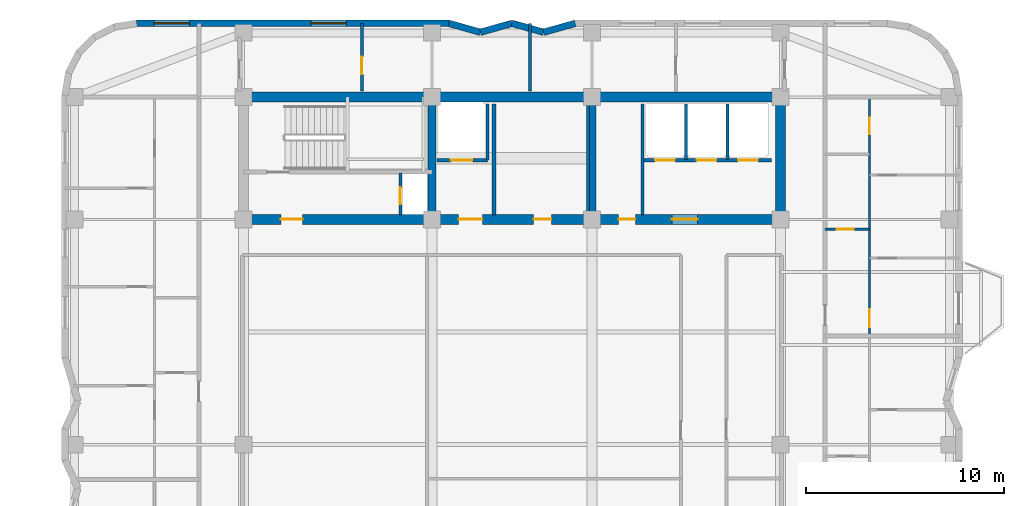
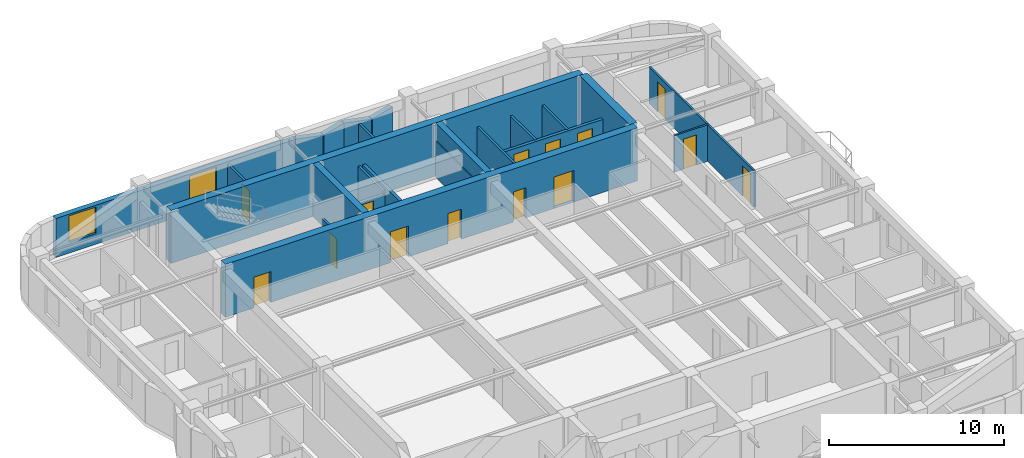
# One storey, part 6 of 9: 23 walls, 14 doors, 2 windows, 16 openings.
"""IFC4 building model written with IfcOpenShell, lengths in metres."""

from ifc_helpers import new_model, si_unit, direction, frame, frame_2d, origin, place, context, subcontext, project, spatial, rectangle, extrude, material, layer, layer_set, type_object, element, fill, save


model = new_model("IFC4")

# Units and contexts
model_context = context("Model", 3, precision=1e-05, world=origin(), true_north=direction((0.0, 1.0)))
body_context = subcontext(model_context, "Body", "Model", "MODEL_VIEW")
ifc_project = project(units=[si_unit("LENGTHUNIT", "METRE"), si_unit("AREAUNIT", "SQUARE_METRE"), si_unit("VOLUMEUNIT", "CUBIC_METRE"), si_unit("PLANEANGLEUNIT", "RADIAN"), si_unit("MASSUNIT", "GRAM", prefix="KILO")], contexts=[model_context])

# Site, building, storey
site_placement = place(None, origin())
site = spatial("IfcSite", under=ifc_project, at=site_placement, CompositionType="ELEMENT")
building_placement = place(site_placement, origin())
building = spatial("IfcBuilding", under=site, at=building_placement, Name="Svetorya Sky Lyceum", CompositionType="ELEMENT")
storey_placement = place(building_placement, frame((0.0, 0.0, 211.0)))
storey = spatial("IfcBuildingStorey", under=building, at=storey_placement, Name="L52", CompositionType="ELEMENT", Elevation=211.0)

# Walls
ifc_material_1 = material(Name="Concrete C40/50", Category="concrete")
ifc_layer_1 = layer(ifc_material_1, 0.39990234375)
ifc_layer_set_1 = layer_set([ifc_layer_1], Name="Concrete C40/50")
wall_type_1 = type_object("IfcWallType", Name="WL-CORE-400", PredefinedType="SHEAR", material=ifc_layer_set_1)
for number, where, z_axis, x_axis, name in (
    (1, (35.14990234375, 39.85009765625, 0.0), (0.0, 0.0, 1.0), (0.0, 1.0, 0.0), "L52 NC Internal Shear Web WEB1"),
    (2, (43.25, 39.85009765625, 0.0), (0.0, 0.0, 1.0), (0.0, 1.0, 0.0), "L52 NC Internal Shear Web WEB2"),
):
    element("IfcWall", number, at=place(storey_placement, frame(where, z_axis=z_axis, x_axis=x_axis)), inside=storey, type_object=wall_type_1, Name=name, PredefinedType="SHEAR", context=body_context, shape_type="SweptSolid", body=[
        extrude(rectangle(XDim=5.699951171875, YDim=0.39990234375, at=frame_2d((2.85009765625, 0.0))), origin(), (0.0, 0.0, 1.0), 3.699951171875),
    ])
ifc_material_2 = material(Name="Concrete C50/60", Category="concrete")
ifc_layer_2 = layer(ifc_material_2, 0.5)
ifc_layer_set_2 = layer_set([ifc_layer_2], Name="Concrete C50/60")
wall_type_2 = type_object("IfcWallType", Name="WL-CORE-500", PredefinedType="SHEAR", material=ifc_layer_set_2)
wall_1_placement = place(storey_placement, frame((25.60009765625, 45.800048828125, 0.0), z_axis=(0.0, 0.0, 1.0), x_axis=(1.0, 0.0, 0.0)))
element("IfcWall", 3, at=wall_1_placement, inside=storey, type_object=wall_type_2, Name="L52 NC Outer Core Shear Wall", PredefinedType="SHEAR", context=body_context, shape_type="SweptSolid", body=[
    extrude(rectangle(XDim=27.199951171875, YDim=0.5, at=frame_2d((13.60009765625, 0.0))), origin(), (0.0, 0.0, 1.0), 3.699951171875),
])
wall_2_placement = place(storey_placement, frame((52.800048828125, 39.85009765625, 0.0), z_axis=(0.0, 0.0, 1.0), x_axis=(0.0, 1.0, 0.0)))
element("IfcWall", 4, at=wall_2_placement, inside=storey, type_object=wall_type_2, Name="L52 NC East Core Shear Wall", PredefinedType="SHEAR", context=body_context, shape_type="SweptSolid", body=[
    extrude(rectangle(XDim=5.699951171875, YDim=0.5, at=frame_2d((2.85009765625, 0.0))), origin(), (0.0, 0.0, 1.0), 3.699951171875),
])

# Wall, openings, doors
wall_3_placement = place(storey_placement, frame((52.800048828125, 39.60009765625, 0.0), z_axis=(0.0, 0.0, 1.0), x_axis=(-1.0, 0.0, 0.0)))
wall_3 = element("IfcWall", 5, at=wall_3_placement, inside=storey, type_object=wall_type_2, Name="L52 NC Inner Core Shear Wall", PredefinedType="SHEAR", context=body_context, shape_type="SweptSolid", body=[
    extrude(rectangle(XDim=27.199951171875, YDim=0.5, at=frame_2d((13.60009765625, 0.0))), origin(), (0.0, 0.0, 1.0), 3.699951171875),
])
opening_1_placement = place(wall_3_placement, frame((24.199951171875, 0.0, 0.0)))
opening_1 = element("IfcOpeningElement", 6, at=opening_1_placement, cuts=wall_3, Name="Opening D-ST1", PredefinedType="OPENING", context=body_context, shape_type="SweptSolid", body=[
    extrude(rectangle(XDim=1.10009765625, YDim=2.14990234375, at=frame_2d((0.550048828125, 1.074951171875))), frame((0.0, 0.260009765625, 0.0), z_axis=(0.0, -1.0, 0.0), x_axis=(1.0, 0.0, 0.0)), (0.0, 0.0, 1.0), 0.52001953125),
])
opening_2_placement = place(wall_3_placement, frame((15.10009765625, 0.0, 0.0)))
opening_2 = element("IfcOpeningElement", 7, at=opening_2_placement, cuts=wall_3, Name="Opening D-FL1", PredefinedType="OPENING", context=body_context, shape_type="SweptSolid", body=[
    extrude(rectangle(XDim=1.199951171875, YDim=2.14990234375, at=frame_2d((0.60009765625, 1.074951171875))), frame((0.0, 0.260009765625, 0.0), z_axis=(0.0, -1.0, 0.0), x_axis=(1.0, 0.0, 0.0)), (0.0, 0.0, 1.0), 0.52001953125),
])
opening_3_placement = place(wall_3_placement, frame((11.60009765625, 0.0, 0.0)))
opening_3 = element("IfcOpeningElement", 8, at=opening_3_placement, cuts=wall_3, Name="Opening D-RM1", PredefinedType="OPENING", context=body_context, shape_type="SweptSolid", body=[
    extrude(rectangle(XDim=0.89990234375, YDim=2.10009765625, at=frame_2d((0.449951171875, 1.050048828125))), frame((0.0, 0.260009765625, 0.0), z_axis=(0.0, -1.0, 0.0), x_axis=(1.0, 0.0, 0.0)), (0.0, 0.0, 1.0), 0.52001953125),
])
opening_4_placement = place(wall_3_placement, frame((7.35009765625, 0.0, 0.0)))
opening_4 = element("IfcOpeningElement", 9, at=opening_4_placement, cuts=wall_3, Name="Opening D-CWC1", PredefinedType="OPENING", context=body_context, shape_type="SweptSolid", body=[
    extrude(rectangle(XDim=0.85009765625, YDim=2.10009765625, at=frame_2d((0.425048828125, 1.050048828125))), frame((0.0, 0.260009765625, 0.0), z_axis=(0.0, -1.0, 0.0), x_axis=(1.0, 0.0, 0.0)), (0.0, 0.0, 1.0), 0.52001953125),
])
opening_5_placement = place(wall_3_placement, frame((4.199951171875, 0.0, 0.0)))
opening_5 = element("IfcOpeningElement", 10, at=opening_5_placement, cuts=wall_3, Name="Opening D-LB1", PredefinedType="OPENING", context=body_context, shape_type="SweptSolid", body=[
    extrude(rectangle(XDim=1.300048828125, YDim=2.199951171875, at=frame_2d((0.64990234375, 1.10009765625))), frame((0.0, 0.260009765625, 0.0), z_axis=(0.0, -1.0, 0.0), x_axis=(1.0, 0.0, 0.0)), (0.0, 0.0, 1.0), 0.52001953125),
])
ifc_material_3 = material(Name="Fire-rated galvanized steel core service closet door", Category="steel")
door_type_1 = type_object("IfcDoorType", Name="DR-CWET-850", OperationType="SINGLE_SWING_LEFT", PredefinedType="DOOR", material=ifc_material_3)
door_1_placement = place(opening_4_placement, origin())
door_1 = element("IfcDoor", 11, at=door_1_placement, inside=storey, type_object=door_type_1, Name="L52 High-Zone Utility Room Door", OperationType="SINGLE_SWING_LEFT", OverallHeight=2.10009765625, OverallWidth=0.85009765625, PredefinedType="DOOR", context=body_context, shape_type="SweptSolid", body=[
    extrude(rectangle(XDim=0.85009765625, YDim=2.10009765625, at=frame_2d((0.425048828125, 1.050048828125))), frame((0.0, 0.02490234375, 0.0), z_axis=(0.0, -1.0, 0.0), x_axis=(1.0, 0.0, 0.0)), (0.0, 0.0, 1.0), 0.050048828125),
])
fill(opening_4, door_1)
ifc_material_4 = material(Name="Powder-coated insulated galvanized stair fire door")
door_type_2 = type_object("IfcDoorType", Name="DR-FIRE-1100", OperationType="SINGLE_SWING_LEFT", PredefinedType="DOOR", material=ifc_material_4)
door_2_placement = place(opening_1_placement, origin())
door_2 = element("IfcDoor", 12, at=door_2_placement, inside=storey, type_object=door_type_2, Name="L52 North Stair Airlock Door", OperationType="SINGLE_SWING_LEFT", OverallHeight=2.14990234375, OverallWidth=1.10009765625, PredefinedType="DOOR", context=body_context, shape_type="SweptSolid", body=[
    extrude(rectangle(XDim=1.10009765625, YDim=2.14990234375, at=frame_2d((0.550048828125, 1.074951171875))), frame((0.0, 0.02490234375, 0.0), z_axis=(0.0, -1.0, 0.0), x_axis=(1.0, 0.0, 0.0)), (0.0, 0.0, 1.0), 0.050048828125),
])
fill(opening_1, door_2)
ifc_material_5 = material(Name="Powder-coated insulated galvanized fire door")
door_type_3 = type_object("IfcDoorType", Name="DR-FIRE-1200", OperationType="SINGLE_SWING_LEFT", PredefinedType="DOOR", material=ifc_material_5)
door_3_placement = place(opening_2_placement, origin())
door_3 = element("IfcDoor", 13, at=door_3_placement, inside=storey, type_object=door_type_3, Name="L52 North Firefighting Lift Lobby Door", OperationType="SINGLE_SWING_RIGHT", OverallHeight=2.14990234375, OverallWidth=1.199951171875, PredefinedType="DOOR", context=body_context, shape_type="SweptSolid", body=[
    extrude(rectangle(XDim=1.199951171875, YDim=2.14990234375, at=frame_2d((0.60009765625, 1.074951171875))), frame((0.0, 0.02490234375, 0.0), z_axis=(0.0, -1.0, 0.0), x_axis=(1.0, 0.0, 0.0)), (0.0, 0.0, 1.0), 0.050048828125),
])
fill(opening_2, door_3)
ifc_material_6 = material(Name="Lacquered birch veneer internal door")
door_type_4 = type_object("IfcDoorType", Name="DR-INT-900", OperationType="SINGLE_SWING_LEFT", PredefinedType="DOOR", material=ifc_material_6)
door_4_placement = place(opening_3_placement, origin())
door_4 = element("IfcDoor", 14, at=door_4_placement, inside=storey, type_object=door_type_4, Name="L52 Upper Archive Door", OperationType="SINGLE_SWING_LEFT", OverallHeight=2.10009765625, OverallWidth=0.89990234375, PredefinedType="DOOR", context=body_context, shape_type="SweptSolid", body=[
    extrude(rectangle(XDim=0.89990234375, YDim=2.10009765625, at=frame_2d((0.449951171875, 1.050048828125))), frame((0.0, 0.02490234375, 0.0), z_axis=(0.0, -1.0, 0.0), x_axis=(1.0, 0.0, 0.0)), (0.0, 0.0, 1.0), 0.050048828125),
])
fill(opening_3, door_4)
ifc_material_7 = material(Name="Glazed fire-rated aluminium lobby door", Category="aluminium")
door_type_5 = type_object("IfcDoorType", Name="DR-LOB-1300", OperationType="SINGLE_SWING_LEFT", PredefinedType="DOOR", material=ifc_material_7)
door_5_placement = place(opening_5_placement, origin())
door_5 = element("IfcDoor", 15, at=door_5_placement, inside=storey, type_object=door_type_5, Name="L52 North Passenger Lift Lobby Door", OperationType="SINGLE_SWING_LEFT", OverallHeight=2.199951171875, OverallWidth=1.300048828125, PredefinedType="DOOR", context=body_context, shape_type="SweptSolid", body=[
    extrude(rectangle(XDim=1.300048828125, YDim=2.199951171875, at=frame_2d((0.64990234375, 1.10009765625))), frame((0.0, 0.02490234375, 0.0), z_axis=(0.0, -1.0, 0.0), x_axis=(1.0, 0.0, 0.0)), (0.0, 0.0, 1.0), 0.050048828125),
])
fill(opening_5, door_5)

# Walls
ifc_material_8 = material(Name="Putilovo limestone rainscreen on autoclaved cellular masonry", Category="masonry")
ifc_layer_3 = layer(ifc_material_8, 0.340087890625)
ifc_layer_set_3 = layer_set([ifc_layer_3], Name="Putilovo limestone rainscreen on autoclaved cellular masonry")
wall_type_3 = type_object("IfcWallType", Name="WL-EXT-340", PredefinedType="SOLIDWALL", material=ifc_layer_set_3)
wall_4_placement = place(storey_placement, frame((42.39990234375, 49.530029296875, 0.0), z_axis=(0.0, 0.0, 1.0), x_axis=(-0.962652136636, -0.270741322725, 0.0)))
element("IfcWall", 16, at=wall_4_placement, inside=storey, type_object=wall_type_3, Name="L52 Limestone Exterior Wall 30M", PredefinedType="SOLIDWALL", context=body_context, shape_type="SweptSolid", body=[
    extrude(rectangle(XDim=1.661865234375, YDim=0.340087890625, at=frame_2d((0.8310546875, 0.0))), origin(), (0.0, 0.0, 1.0), 2.719970703125),
])
wall_5_placement = place(storey_placement, frame((40.800048828125, 49.080078125, 0.0), z_axis=(0.0, 0.0, 1.0), x_axis=(-0.962662902433, 0.270703040766, 0.0)))
element("IfcWall", 17, at=wall_5_placement, inside=storey, type_object=wall_type_3, Name="L52 Limestone Exterior Wall 31M", PredefinedType="SOLIDWALL", context=body_context, shape_type="SweptSolid", body=[
    extrude(rectangle(XDim=1.662109375, YDim=0.340087890625, at=frame_2d((0.8310546875, 0.0))), origin(), (0.0, 0.0, 1.0), 2.719970703125),
])
wall_6_placement = place(storey_placement, frame((39.199951171875, 49.530029296875, 0.0), z_axis=(0.0, 0.0, 1.0), x_axis=(-0.962652136636, -0.270741322725, 0.0)))
element("IfcWall", 18, at=wall_6_placement, inside=storey, type_object=wall_type_3, Name="L52 Limestone Exterior Wall 32M", PredefinedType="SOLIDWALL", context=body_context, shape_type="SweptSolid", body=[
    extrude(rectangle(XDim=1.661865234375, YDim=0.340087890625, at=frame_2d((0.8310546875, 0.0))), origin(), (0.0, 0.0, 1.0), 2.719970703125),
])
wall_7_placement = place(storey_placement, frame((37.60009765625, 49.080078125, 0.0), z_axis=(0.0, 0.0, 1.0), x_axis=(-0.962662902433, 0.270703040766, 0.0)))
element("IfcWall", 19, at=wall_7_placement, inside=storey, type_object=wall_type_3, Name="L52 Limestone Exterior Wall 33M", PredefinedType="SOLIDWALL", context=body_context, shape_type="SweptSolid", body=[
    extrude(rectangle(XDim=1.662109375, YDim=0.340087890625, at=frame_2d((0.8310546875, 0.0))), origin(), (0.0, 0.0, 1.0), 2.719970703125),
])

# Wall, openings, windows
wall_8_placement = place(storey_placement, frame((36.0, 49.530029296875, 0.0), z_axis=(0.0, 0.0, 1.0), x_axis=(-1.0, 0.0, 0.0)))
wall_8 = element("IfcWall", 20, at=wall_8_placement, inside=storey, type_object=wall_type_3, Name="L52 Limestone Exterior Wall 34M", PredefinedType="SOLIDWALL", context=body_context, shape_type="SweptSolid", body=[
    extrude(rectangle(XDim=15.800048828125, YDim=0.340087890625, at=frame_2d((7.89990234375, 0.0))), origin(), (0.0, 0.0, 1.0), 2.719970703125),
])
opening_6_placement = place(wall_8_placement, frame((5.1875, 0.0, 0.75)))
opening_6 = element("IfcOpeningElement", 21, at=opening_6_placement, cuts=wall_8, Name="Opening W-R1", PredefinedType="OPENING", context=body_context, shape_type="SweptSolid", body=[
    extrude(rectangle(XDim=1.800048828125, YDim=1.85009765625, at=frame_2d((0.89990234375, 0.925048828125))), frame((0.0, 0.179931640625, 0.0), z_axis=(0.0, -1.0, 0.0), x_axis=(1.0, 0.0, 0.0)), (0.0, 0.0, 1.0), 0.360107421875),
])
opening_7_placement = place(wall_8_placement, frame((13.137451171875, 0.0, 0.75)))
opening_7 = element("IfcOpeningElement", 22, at=opening_7_placement, cuts=wall_8, Name="Opening W-R1", PredefinedType="OPENING", context=body_context, shape_type="SweptSolid", body=[
    extrude(rectangle(XDim=1.800048828125, YDim=1.85009765625, at=frame_2d((0.89990234375, 0.925048828125))), frame((0.0, 0.179931640625, 0.0), z_axis=(0.0, -1.0, 0.0), x_axis=(1.0, 0.0, 0.0)), (0.0, 0.0, 1.0), 0.360107421875),
])
ifc_material_9 = material(Name="Thermally broken aluminium frame with triple low-E glazing", Category="aluminium")
window_type = type_object("IfcWindowType", Name="WN-RES-180", PartitioningType="DOUBLE_PANEL_VERTICAL", PredefinedType="WINDOW", material=ifc_material_9)
window_1_placement = place(opening_6_placement, origin())
window_1 = element("IfcWindow", 23, at=window_1_placement, inside=storey, type_object=window_type, Name="L52 Facade Window W-R1.34M.1", OverallHeight=1.85009765625, OverallWidth=1.800048828125, PartitioningType="SINGLE_PANEL", PredefinedType="WINDOW", context=body_context, shape_type="SweptSolid", body=[
    extrude(rectangle(XDim=1.800048828125, YDim=1.85009765625, at=frame_2d((0.89990234375, 0.925048828125))), frame((0.0, 0.030029296875, 0.0), z_axis=(0.0, -1.0, 0.0), x_axis=(1.0, 0.0, 0.0)), (0.0, 0.0, 1.0), 0.06005859375),
])
fill(opening_6, window_1)
window_2_placement = place(opening_7_placement, origin())
window_2 = element("IfcWindow", 24, at=window_2_placement, inside=storey, type_object=window_type, Name="L52 Facade Window W-R1.34M.2", OverallHeight=1.85009765625, OverallWidth=1.800048828125, PartitioningType="SINGLE_PANEL", PredefinedType="WINDOW", context=body_context, shape_type="SweptSolid", body=[
    extrude(rectangle(XDim=1.800048828125, YDim=1.85009765625, at=frame_2d((0.89990234375, 0.925048828125))), frame((0.0, 0.030029296875, 0.0), z_axis=(0.0, -1.0, 0.0), x_axis=(1.0, 0.0, 0.0)), (0.0, 0.0, 1.0), 0.06005859375),
])
fill(opening_7, window_2)

# Wall, opening, door
ifc_material_10 = material(Name="Twin-stud galvanized framing with double fireboard", Category="gypsum")
ifc_layer_4 = layer(ifc_material_10, 0.1201171875)
ifc_layer_set_4 = layer_set([ifc_layer_4], Name="Twin-stud galvanized framing with double fireboard")
wall_type_4 = type_object("IfcWallType", Name="WL-PART-120", PredefinedType="PARTITIONING", material=ifc_layer_set_4)
wall_9_placement = place(storey_placement, frame((55.050048828125, 39.10009765625, 0.0), z_axis=(0.0, 0.0, 1.0), x_axis=(1.0, 0.0, 0.0)))
wall_9 = element("IfcWall", 25, at=wall_9_placement, inside=storey, type_object=wall_type_4, Name="L52 Interior Partition E3-WH1", PredefinedType="PARTITIONING", context=body_context, shape_type="SweptSolid", body=[
    extrude(rectangle(XDim=2.25, YDim=0.1201171875, at=frame_2d((1.125, 0.0))), origin(), (0.0, 0.0, 1.0), 2.550048828125),
])
opening_8_placement = place(wall_9_placement, frame((0.60009765625, 0.0, 0.0)))
opening_8 = element("IfcOpeningElement", 26, at=opening_8_placement, cuts=wall_9, Name="Opening D-BT1", PredefinedType="OPENING", context=body_context, shape_type="SweptSolid", body=[
    extrude(rectangle(XDim=0.85009765625, YDim=2.10009765625, at=frame_2d((0.425048828125, 1.050048828125))), frame((0.0, 0.070068359375, 0.0), z_axis=(0.0, -1.0, 0.0), x_axis=(1.0, 0.0, 0.0)), (0.0, 0.0, 1.0), 0.14013671875),
])
ifc_material_11 = material(Name="Moisture-resistant laminate bathroom door")
door_type_6 = type_object("IfcDoorType", Name="DR-WET-850", OperationType="SINGLE_SWING_LEFT", PredefinedType="DOOR", material=ifc_material_11)
door_6_placement = place(opening_8_placement, origin())
door_6 = element("IfcDoor", 27, at=door_6_placement, inside=storey, type_object=door_type_6, Name="Apartment E3 Bathroom Door", OperationType="SINGLE_SWING_RIGHT", OverallHeight=2.10009765625, OverallWidth=0.85009765625, PredefinedType="DOOR", context=body_context, shape_type="SweptSolid", body=[
    extrude(rectangle(XDim=0.85009765625, YDim=2.10009765625, at=frame_2d((0.425048828125, 1.050048828125))), frame((0.0, 0.02490234375, 0.0), z_axis=(0.0, -1.0, 0.0), x_axis=(1.0, 0.0, 0.0)), (0.0, 0.0, 1.0), 0.050048828125),
])
fill(opening_8, door_6)

# Wall, openings, doors
wall_10_placement = place(storey_placement, frame((57.300048828125, 33.739990234375, 0.0), z_axis=(0.0, 0.0, 1.0), x_axis=(0.0, 1.0, 0.0)))
wall_10 = element("IfcWall", 28, at=wall_10_placement, inside=storey, type_object=wall_type_4, Name="L52 Interior Partition E3-WV", PredefinedType="PARTITIONING", context=body_context, shape_type="SweptSolid", body=[
    extrude(rectangle(XDim=12.02001953125, YDim=0.1201171875, at=frame_2d((6.010009765625, 0.0))), origin(), (0.0, 0.0, 1.0), 2.550048828125),
])
opening_9_placement = place(wall_10_placement, frame((0.409912109375, 0.0, 0.0)))
opening_9 = element("IfcOpeningElement", 29, at=opening_9_placement, cuts=wall_10, Name="Opening D-RM1", PredefinedType="OPENING", context=body_context, shape_type="SweptSolid", body=[
    extrude(rectangle(XDim=0.89990234375, YDim=2.10009765625, at=frame_2d((0.449951171875, 1.050048828125))), frame((0.0, 0.070068359375, 0.0), z_axis=(0.0, -1.0, 0.0), x_axis=(1.0, 0.0, 0.0)), (0.0, 0.0, 1.0), 0.14013671875),
])
opening_10_placement = place(wall_10_placement, frame((10.18505859375, 0.0, 0.0)))
opening_10 = element("IfcOpeningElement", 30, at=opening_10_placement, cuts=wall_10, Name="Opening D-BT2", PredefinedType="OPENING", context=body_context, shape_type="SweptSolid", body=[
    extrude(rectangle(XDim=0.820068359375, YDim=2.080078125, at=frame_2d((0.41015625, 1.0400390625))), frame((0.0, 0.070068359375, 0.0), z_axis=(0.0, -1.0, 0.0), x_axis=(1.0, 0.0, 0.0)), (0.0, 0.0, 1.0), 0.14013671875),
])
door_7_placement = place(opening_9_placement, origin())
door_7 = element("IfcDoor", 31, at=door_7_placement, inside=storey, type_object=door_type_4, Name="Apartment E3 Living Door", OperationType="SINGLE_SWING_LEFT", OverallHeight=2.10009765625, OverallWidth=0.89990234375, PredefinedType="DOOR", context=body_context, shape_type="SweptSolid", body=[
    extrude(rectangle(XDim=0.89990234375, YDim=2.10009765625, at=frame_2d((0.449951171875, 1.050048828125))), frame((0.0, 0.02490234375, 0.0), z_axis=(0.0, -1.0, 0.0), x_axis=(1.0, 0.0, 0.0)), (0.0, 0.0, 1.0), 0.050048828125),
])
fill(opening_9, door_7)
ifc_material_12 = material(Name="Compact moisture-resistant laminate closet door")
door_type_7 = type_object("IfcDoorType", Name="DR-WET-820", OperationType="SINGLE_SWING_LEFT", PredefinedType="DOOR", material=ifc_material_12)
door_8_placement = place(opening_10_placement, origin())
door_8 = element("IfcDoor", 32, at=door_8_placement, inside=storey, type_object=door_type_7, Name="Apartment E3 Study Door", OperationType="SINGLE_SWING_RIGHT", OverallHeight=2.080078125, OverallWidth=0.820068359375, PredefinedType="DOOR", context=body_context, shape_type="SweptSolid", body=[
    extrude(rectangle(XDim=0.820068359375, YDim=2.080078125, at=frame_2d((0.41015625, 1.0400390625))), frame((0.0, 0.02490234375, 0.0), z_axis=(0.0, -1.0, 0.0), x_axis=(1.0, 0.0, 0.0)), (0.0, 0.0, 1.0), 0.050048828125),
])
fill(opening_10, door_8)

# Wall, opening, door
ifc_material_13 = material(Name="Autoclaved cellular masonry blockwork with acoustic render", Category="masonry")
ifc_layer_5 = layer(ifc_material_13, 0.14990234375)
ifc_layer_set_5 = layer_set([ifc_layer_5], Name="Autoclaved cellular masonry blockwork with acoustic render")
wall_type_5 = type_object("IfcWallType", Name="WL-PART-150", PredefinedType="PARTITIONING", material=ifc_layer_set_5)
wall_11_placement = place(storey_placement, frame((33.550048828125, 39.820068359375, 0.0), z_axis=(0.0, 0.0, 1.0), x_axis=(0.0, 1.0, 0.0)))
wall_11 = element("IfcWall", 33, at=wall_11_placement, inside=storey, type_object=wall_type_5, Name="L52 Interior Partition NC-RSRW", PredefinedType="PARTITIONING", context=body_context, shape_type="SweptSolid", body=[
    extrude(rectangle(XDim=2.1298828125, YDim=0.14990234375, at=frame_2d((1.06494140625, 0.0))), origin(), (0.0, 0.0, 1.0), 2.550048828125),
])
opening_11_placement = place(wall_11_placement, frame((0.550048828125, 0.0, 0.0)))
opening_11 = element("IfcOpeningElement", 34, at=opening_11_placement, cuts=wall_11, Name="Opening D-SH1", PredefinedType="OPENING", context=body_context, shape_type="SweptSolid", body=[
    extrude(rectangle(XDim=0.85009765625, YDim=2.050048828125, at=frame_2d((0.425048828125, 1.02490234375))), frame((0.0, 0.0849609375, 0.0), z_axis=(0.0, -1.0, 0.0), x_axis=(1.0, 0.0, 0.0)), (0.0, 0.0, 1.0), 0.169921875),
])
ifc_material_14 = material(Name="Insulated galvanized riser inspection fire door")
door_type_8 = type_object("IfcDoorType", Name="DR-SHFT-850", OperationType="SINGLE_SWING_LEFT", PredefinedType="TRAPDOOR", material=ifc_material_14)
door_9_placement = place(opening_11_placement, origin())
door_9 = element("IfcDoor", 35, at=door_9_placement, inside=storey, type_object=door_type_8, Name="L52 North Riser Access Door", OperationType="SINGLE_SWING_LEFT", OverallHeight=2.050048828125, OverallWidth=0.85009765625, PredefinedType="TRAPDOOR", context=body_context, shape_type="SweptSolid", body=[
    extrude(rectangle(XDim=0.85009765625, YDim=2.050048828125, at=frame_2d((0.425048828125, 1.02490234375))), frame((0.0, 0.02490234375, 0.0), z_axis=(0.0, -1.0, 0.0), x_axis=(1.0, 0.0, 0.0)), (0.0, 0.0, 1.0), 0.050048828125),
])
fill(opening_11, door_9)

# Walls
wall_12_placement = place(storey_placement, frame((37.949951171875, 42.60009765625, 0.0), z_axis=(0.0, 0.0, 1.0), x_axis=(0.0, 1.0, 0.0)))
element("IfcWall", 36, at=wall_12_placement, inside=storey, type_object=wall_type_5, Name="L52 Interior Partition NC-FL1SIDE", PredefinedType="PARTITIONING", context=body_context, shape_type="SweptSolid", body=[
    extrude(rectangle(XDim=2.849853515625, YDim=0.14990234375, at=frame_2d((1.4248046875, 0.0))), origin(), (0.0, 0.0, 1.0), 2.550048828125),
])
for number, where, z_axis, x_axis, name in (
    (37, (43.050048828125, 39.820068359375, 0.0), (0.0, 0.0, 1.0), (0.0, 1.0, 0.0), "L52 Interior Partition NC-FPM-END"),
    (38, (45.800048828125, 39.820068359375, 0.0), (0.0, 0.0, 1.0), (0.0, 1.0, 0.0), "L52 Interior Partition NC-PM3-FULL"),
):
    element("IfcWall", number, at=place(storey_placement, frame(where, z_axis=z_axis, x_axis=x_axis)), inside=storey, type_object=wall_type_5, Name=name, PredefinedType="PARTITIONING", context=body_context, shape_type="SweptSolid", body=[
        extrude(rectangle(XDim=5.6298828125, YDim=0.14990234375, at=frame_2d((2.81494140625, 0.0))), origin(), (0.0, 0.0, 1.0), 2.550048828125),
    ])
for number, where, z_axis, x_axis, name in (
    (39, (48.0, 42.64990234375, 0.0), (0.0, 0.0, 1.0), (0.0, 1.0, 0.0), "L52 Interior Partition NC-PH-D1"),
    (40, (50.10009765625, 42.64990234375, 0.0), (0.0, 0.0, 1.0), (0.0, 1.0, 0.0), "L52 Interior Partition NC-PH-D2"),
):
    element("IfcWall", number, at=place(storey_placement, frame(where, z_axis=z_axis, x_axis=x_axis)), inside=storey, type_object=wall_type_5, Name=name, PredefinedType="PARTITIONING", context=body_context, shape_type="SweptSolid", body=[
        extrude(rectangle(XDim=2.800048828125, YDim=0.14990234375, at=frame_2d((1.39990234375, 0.0))), origin(), (0.0, 0.0, 1.0), 2.550048828125),
    ])

# Wall, opening, door
wall_13_placement = place(storey_placement, frame((31.60009765625, 46.10009765625, 0.0), z_axis=(0.0, 0.0, 1.0), x_axis=(0.0, 1.0, 0.0)))
wall_13 = element("IfcWall", 41, at=wall_13_placement, inside=storey, type_object=wall_type_5, Name="L52 Interior Partition N4-D1", PredefinedType="PARTITIONING", context=body_context, shape_type="SweptSolid", body=[
    extrude(rectangle(XDim=3.429931640625, YDim=0.14990234375, at=frame_2d((1.71484375, 0.0))), origin(), (0.0, 0.0, 1.0), 2.550048828125),
])
opening_12_placement = place(wall_13_placement, frame((0.85009765625, 0.0, 0.0)))
opening_12 = element("IfcOpeningElement", 42, at=opening_12_placement, cuts=wall_13, Name="Opening D-RM1", PredefinedType="OPENING", context=body_context, shape_type="SweptSolid", body=[
    extrude(rectangle(XDim=0.89990234375, YDim=2.10009765625, at=frame_2d((0.449951171875, 1.050048828125))), frame((0.0, 0.0849609375, 0.0), z_axis=(0.0, -1.0, 0.0), x_axis=(1.0, 0.0, 0.0)), (0.0, 0.0, 1.0), 0.169921875),
])
door_10_placement = place(opening_12_placement, origin())
door_10 = element("IfcDoor", 43, at=door_10_placement, inside=storey, type_object=door_type_4, Name="L52 North Suite Door 1", OperationType="SINGLE_SWING_RIGHT", OverallHeight=2.10009765625, OverallWidth=0.89990234375, PredefinedType="DOOR", context=body_context, shape_type="SweptSolid", body=[
    extrude(rectangle(XDim=0.89990234375, YDim=2.10009765625, at=frame_2d((0.449951171875, 1.050048828125))), frame((0.0, 0.02490234375, 0.0), z_axis=(0.0, -1.0, 0.0), x_axis=(1.0, 0.0, 0.0)), (0.0, 0.0, 1.0), 0.050048828125),
])
fill(opening_12, door_10)

# Wall
wall_14_placement = place(storey_placement, frame((40.10009765625, 46.10009765625, 0.0), z_axis=(0.0, 0.0, 1.0), x_axis=(0.0, 1.0, 0.0)))
element("IfcWall", 44, at=wall_14_placement, inside=storey, type_object=wall_type_5, Name="L52 Interior Partition N4-D2", PredefinedType="PARTITIONING", context=body_context, shape_type="SweptSolid", body=[
    extrude(rectangle(XDim=3.429931640625, YDim=0.14990234375, at=frame_2d((1.71484375, 0.0))), origin(), (0.0, 0.0, 1.0), 2.550048828125),
])

# Wall, opening, door
ifc_material_15 = material(Name="Autoclaved cellular masonry blockwork with gypsum plaster", Category="masonry")
ifc_layer_6 = layer(ifc_material_15, 0.199951171875)
ifc_layer_set_6 = layer_set([ifc_layer_6], Name="Autoclaved cellular masonry blockwork with gypsum plaster")
wall_type_6 = type_object("IfcWallType", Name="WL-PART-200", PredefinedType="PARTITIONING", material=ifc_layer_set_6)
wall_15_placement = place(storey_placement, frame((37.949951171875, 42.60009765625, 0.0), z_axis=(0.0, 0.0, 1.0), x_axis=(-1.0, 0.0, 0.0)))
wall_15 = element("IfcWall", 45, at=wall_15_placement, inside=storey, type_object=wall_type_6, Name="L52 Interior Partition NC-FL1W", PredefinedType="PARTITIONING", context=body_context, shape_type="SweptSolid", body=[
    extrude(rectangle(XDim=2.550048828125, YDim=0.199951171875, at=frame_2d((1.27490234375, 0.0))), origin(), (0.0, 0.0, 1.0), 2.320068359375),
])
opening_13_placement = place(wall_15_placement, frame((0.75, 0.0, 0.0)))
opening_13 = element("IfcOpeningElement", 46, at=opening_13_placement, cuts=wall_15, Name="Opening LD-FL", PredefinedType="OPENING", context=body_context, shape_type="SweptSolid", body=[
    extrude(rectangle(XDim=1.10009765625, YDim=2.14990234375, at=frame_2d((0.550048828125, 1.074951171875))), frame((0.0, 0.10986328125, 0.0), z_axis=(0.0, -1.0, 0.0), x_axis=(1.0, 0.0, 0.0)), (0.0, 0.0, 1.0), 0.219970703125),
])
ifc_material_16 = material(Name="Fire-rated stainless AISI 304 firefighting lift landing door")
door_type_9 = type_object("IfcDoorType", Name="DR-LIFT-1100", OperationType="SLIDING_TO_LEFT", PredefinedType="DOOR", material=ifc_material_16)
door_11_placement = place(opening_13_placement, origin())
door_11 = element("IfcDoor", 47, at=door_11_placement, inside=storey, type_object=door_type_9, Name="L52 Firefighting Lift FL1 Landing Door", OperationType="SLIDING_TO_LEFT", OverallHeight=2.14990234375, OverallWidth=1.10009765625, PredefinedType="DOOR", context=body_context, shape_type="SweptSolid", body=[
    extrude(rectangle(XDim=1.10009765625, YDim=2.14990234375, at=frame_2d((0.550048828125, 1.074951171875))), frame((0.0, 0.02490234375, 0.0), z_axis=(0.0, -1.0, 0.0), x_axis=(1.0, 0.0, 0.0)), (0.0, 0.0, 1.0), 0.050048828125),
])
fill(opening_13, door_11)

# Wall
wall_16_placement = place(storey_placement, frame((38.280029296875, 39.820068359375, 0.0), z_axis=(0.0, 0.0, 1.0), x_axis=(0.0, 1.0, 0.0)))
element("IfcWall", 48, at=wall_16_placement, inside=storey, type_object=wall_type_6, Name="L52 Interior Partition NC-FFLDIV", PredefinedType="PARTITIONING", context=body_context, shape_type="SweptSolid", body=[
    extrude(rectangle(XDim=5.6298828125, YDim=0.199951171875, at=frame_2d((2.81494140625, 0.0))), origin(), (0.0, 0.0, 1.0), 2.550048828125),
])

# Wall, openings, doors
wall_17_placement = place(storey_placement, frame((52.35009765625, 42.60009765625, 0.0), z_axis=(0.0, 0.0, 1.0), x_axis=(-1.0, 0.0, 0.0)))
wall_17 = element("IfcWall", 49, at=wall_17_placement, inside=storey, type_object=wall_type_6, Name="L52 Interior Partition NC-PHEW", PredefinedType="PARTITIONING", context=body_context, shape_type="SweptSolid", body=[
    extrude(rectangle(XDim=6.5, YDim=0.199951171875, at=frame_2d((3.25, 0.0))), origin(), (0.0, 0.0, 1.0), 2.550048828125),
])
opening_14_placement = place(wall_17_placement, frame((4.89990234375, 0.0, 0.0)))
opening_14 = element("IfcOpeningElement", 50, at=opening_14_placement, cuts=wall_17, Name="Opening LD-P1", PredefinedType="OPENING", context=body_context, shape_type="SweptSolid", body=[
    extrude(rectangle(XDim=1.0, YDim=2.14990234375, at=frame_2d((0.5, 1.074951171875))), frame((0.0, 0.10986328125, 0.0), z_axis=(0.0, -1.0, 0.0), x_axis=(1.0, 0.0, 0.0)), (0.0, 0.0, 1.0), 0.219970703125),
])
opening_15_placement = place(wall_17_placement, frame((2.800048828125, 0.0, 0.0)))
opening_15 = element("IfcOpeningElement", 51, at=opening_15_placement, cuts=wall_17, Name="Opening LD-P1", PredefinedType="OPENING", context=body_context, shape_type="SweptSolid", body=[
    extrude(rectangle(XDim=1.0, YDim=2.14990234375, at=frame_2d((0.5, 1.074951171875))), frame((0.0, 0.10986328125, 0.0), z_axis=(0.0, -1.0, 0.0), x_axis=(1.0, 0.0, 0.0)), (0.0, 0.0, 1.0), 0.219970703125),
])
opening_16_placement = place(wall_17_placement, frame((0.699951171875, 0.0, 0.0)))
opening_16 = element("IfcOpeningElement", 52, at=opening_16_placement, cuts=wall_17, Name="Opening LD-P1", PredefinedType="OPENING", context=body_context, shape_type="SweptSolid", body=[
    extrude(rectangle(XDim=1.0, YDim=2.14990234375, at=frame_2d((0.5, 1.074951171875))), frame((0.0, 0.10986328125, 0.0), z_axis=(0.0, -1.0, 0.0), x_axis=(1.0, 0.0, 0.0)), (0.0, 0.0, 1.0), 0.219970703125),
])
ifc_material_17 = material(Name="Champagne-anodized stainless passenger lift landing door")
door_type_10 = type_object("IfcDoorType", Name="DR-LIFT-1000", OperationType="SLIDING_TO_LEFT", PredefinedType="DOOR", material=ifc_material_17)
door_12_placement = place(opening_14_placement, origin())
door_12 = element("IfcDoor", 53, at=door_12_placement, inside=storey, type_object=door_type_10, Name="L52 Passenger Lift PH1 Landing Door", OperationType="SLIDING_TO_LEFT", OverallHeight=2.14990234375, OverallWidth=1.0, PredefinedType="DOOR", context=body_context, shape_type="SweptSolid", body=[
    extrude(rectangle(XDim=1.0, YDim=2.14990234375, at=frame_2d((0.5, 1.074951171875))), frame((0.0, 0.02490234375, 0.0), z_axis=(0.0, -1.0, 0.0), x_axis=(1.0, 0.0, 0.0)), (0.0, 0.0, 1.0), 0.050048828125),
])
fill(opening_14, door_12)
door_13_placement = place(opening_15_placement, origin())
door_13 = element("IfcDoor", 54, at=door_13_placement, inside=storey, type_object=door_type_10, Name="L52 Passenger Lift PH2 Landing Door", OperationType="SLIDING_TO_LEFT", OverallHeight=2.14990234375, OverallWidth=1.0, PredefinedType="DOOR", context=body_context, shape_type="SweptSolid", body=[
    extrude(rectangle(XDim=1.0, YDim=2.14990234375, at=frame_2d((0.5, 1.074951171875))), frame((0.0, 0.02490234375, 0.0), z_axis=(0.0, -1.0, 0.0), x_axis=(1.0, 0.0, 0.0)), (0.0, 0.0, 1.0), 0.050048828125),
])
fill(opening_15, door_13)
door_14_placement = place(opening_16_placement, origin())
door_14 = element("IfcDoor", 55, at=door_14_placement, inside=storey, type_object=door_type_10, Name="L52 Passenger Lift PH3 Landing Door", OperationType="SLIDING_TO_LEFT", OverallHeight=2.14990234375, OverallWidth=1.0, PredefinedType="DOOR", context=body_context, shape_type="SweptSolid", body=[
    extrude(rectangle(XDim=1.0, YDim=2.14990234375, at=frame_2d((0.5, 1.074951171875))), frame((0.0, 0.02490234375, 0.0), z_axis=(0.0, -1.0, 0.0), x_axis=(1.0, 0.0, 0.0)), (0.0, 0.0, 1.0), 0.050048828125),
])
fill(opening_16, door_14)

save(model, "model.ifc")
